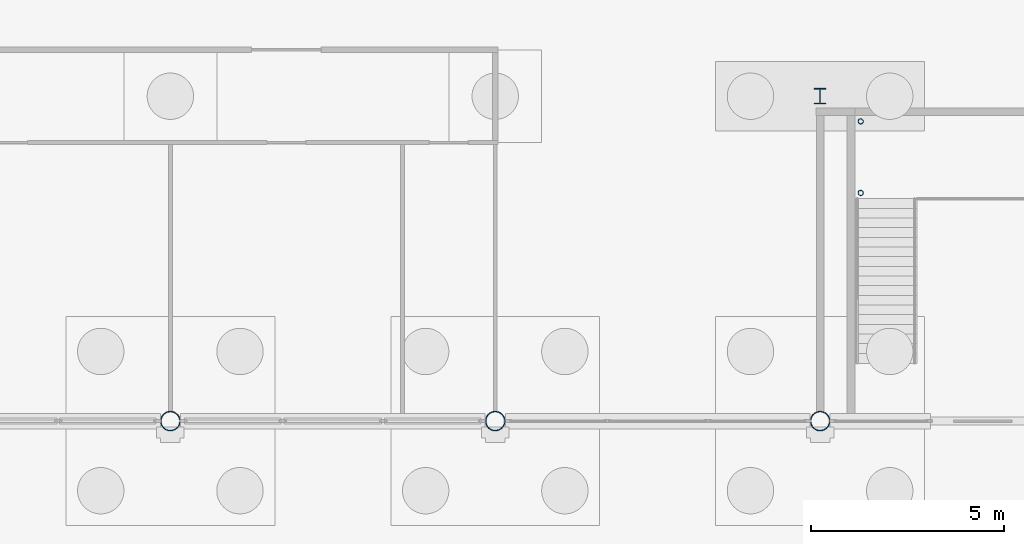
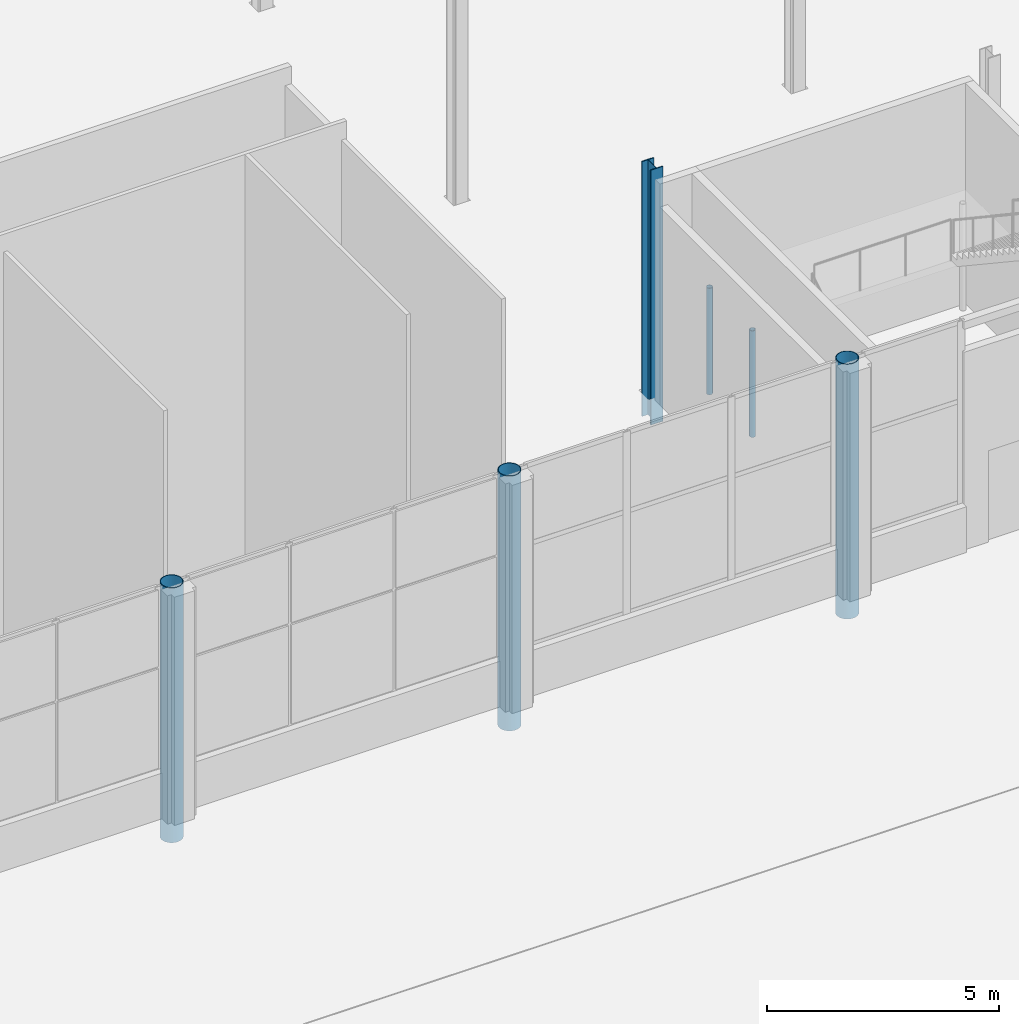
# One storey, part 11 of 212: 6 columns.
"""IFC4 building model written with IfcOpenShell, lengths in metres."""

from ifc_helpers import new_model, si_unit, direction, frame, origin, origin_2d, place, context, subcontext, project, spatial, hollow_circle, i_section, extrude, material, material_profile, profile_set, type_object, element, save


model = new_model("IFC4")

# Units and contexts
model_context = context("Model", 3, precision=1e-05, world=origin(), true_north=direction((0.0, 1.0)))
body_context = subcontext(model_context, "Body", "Model", "MODEL_VIEW")
ifc_project = project(units=[si_unit("LENGTHUNIT", "METRE"), si_unit("AREAUNIT", "SQUARE_METRE"), si_unit("VOLUMEUNIT", "CUBIC_METRE"), si_unit("PLANEANGLEUNIT", "RADIAN"), si_unit("MASSUNIT", "GRAM", prefix="KILO")], contexts=[model_context])

# Site, building, storey
site_placement = place(None, origin())
site = spatial("IfcSite", under=ifc_project, at=site_placement, CompositionType="ELEMENT")
building_placement = place(site_placement, origin())
building = spatial("IfcBuilding", under=site, at=building_placement, Name="Catenary Quay Ferry Terminal", CompositionType="ELEMENT")
storey_placement = place(building_placement, origin())
storey = spatial("IfcBuildingStorey", under=building, at=storey_placement, Name="L00", CompositionType="ELEMENT", Elevation=0.0)

# Columns
ifc_material_1 = material(Name="Steel S355", Category="steel")
ifc_material_profile_1 = material_profile(ifc_material_1, i_section(OverallWidth=0.300048828125, OverallDepth=0.39990234375, WebThickness=0.013427734375, FlangeThickness=0.02392578125, at=origin_2d()), Name="HEB 400")
ifc_profile_set_1 = profile_set([ifc_material_profile_1], Name="Steel S355")
column_type_1 = type_object("IfcColumnType", Name="C2 HEB 400", PredefinedType="COLUMN", material=ifc_profile_set_1)
column_placement = place(storey_placement, frame((58.800048828125, 75.60009765625, -0.699951171875), z_axis=(0.0, 0.0, 1.0), x_axis=(1.0, 0.0, 0.0)))
element("IfcColumn", 1, at=column_placement, inside=storey, type_object=column_type_1, Name="Column C-H10 L00", PredefinedType="COLUMN", context=body_context, shape_type="SweptSolid", body=[
    extrude(i_section(OverallWidth=0.300048828125, OverallDepth=0.39990234375, WebThickness=0.013427734375, FlangeThickness=0.02392578125, at=origin_2d()), origin(), (0.0, 0.0, 1.0), 6.699951171875),
])
ifc_material_2 = material(Name="Steel S355", Category="steel")
ifc_material_profile_2 = material_profile(ifc_material_2, hollow_circle(Radius=0.25390625, WallThickness=0.01611328125, at=origin_2d()), Name="CHS 508x16")
ifc_profile_set_2 = profile_set([ifc_material_profile_2], Name="Steel S355")
column_type_2 = type_object("IfcColumnType", Name="C4 CHS 508x16", PredefinedType="COLUMN", material=ifc_profile_set_2)
for number, where, z_axis, x_axis, name in (
    (2, (42.0, 67.199951171875, -0.699951171875), (0.0, 0.0, 1.0), (1.0, 0.0, 0.0), "Column C-F9 L00"),
    (3, (50.39990234375, 67.199951171875, -0.699951171875), (0.0, 0.0, 1.0), (1.0, 0.0, 0.0), "Column C-G9 L00"),
    (4, (58.800048828125, 67.199951171875, -0.699951171875), (0.0, 0.0, 1.0), (1.0, 0.0, 0.0), "Column C-H9 L00"),
):
    element("IfcColumn", number, at=place(storey_placement, frame(where, z_axis=z_axis, x_axis=x_axis)), inside=storey, type_object=column_type_2, Name=name, PredefinedType="COLUMN", context=body_context, shape_type="SweptSolid", body=[
        extrude(hollow_circle(Radius=0.25390625, WallThickness=0.01611328125, at=origin_2d()), origin(), (0.0, 0.0, 1.0), 6.699951171875),
    ])
ifc_material_3 = material(Name="Steel S355", Category="steel")
ifc_material_profile_3 = material_profile(ifc_material_3, hollow_circle(Radius=0.06982421875, WallThickness=0.008056640625, at=origin_2d()), Name="CHS 139.7x8")
ifc_profile_set_3 = profile_set([ifc_material_profile_3], Name="Steel S355")
column_type_3 = type_object("IfcColumnType", Name="SP1 CHS 139.7x8", PredefinedType="COLUMN", material=ifc_profile_set_3)
for number, where, z_axis, x_axis, name in (
    (5, (59.85009765625, 74.949951171875, 0.0), (0.0, 0.0, 1.0), (1.0, 0.0, 0.0), "Landing post TS6-L00 1"),
    (6, (59.85009765625, 73.10009765625, 0.0), (0.0, 0.0, 1.0), (1.0, 0.0, 0.0), "Landing post TS6-L00 3"),
):
    element("IfcColumn", number, at=place(storey_placement, frame(where, z_axis=z_axis, x_axis=x_axis)), inside=storey, type_object=column_type_3, Name=name, PredefinedType="COLUMN", context=body_context, shape_type="SweptSolid", body=[
        extrude(hollow_circle(Radius=0.06982421875, WallThickness=0.008056640625, at=origin_2d()), origin(), (0.0, 0.0, 1.0), 2.800048828125),
    ])

save(model, "model.ifc")
